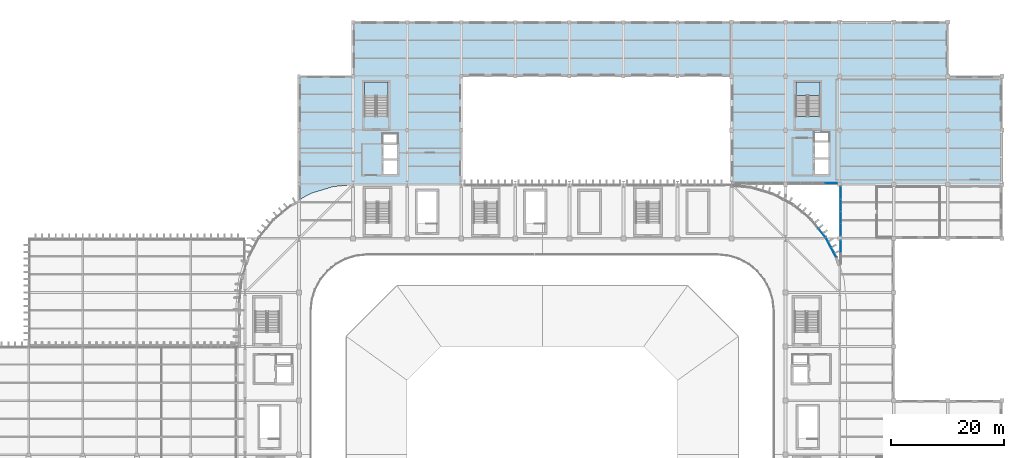
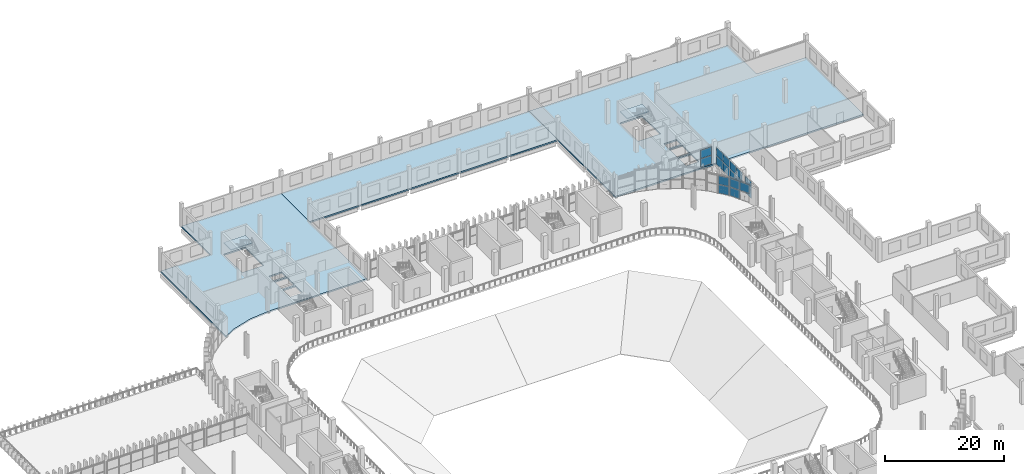
# One storey, part 56 of 99: 17 plates, 5 slabs, 7 elements without a shape of their own.
"""IFC4 building model written with IfcOpenShell, lengths in metres."""

from ifc_helpers import new_model, si_unit, direction, frame, origin, origin_2d, place, context, subcontext, project, spatial, polyline, rectangle, outline, extrude, material, layer, layer_set, type_object, element, aggregate, save


model = new_model("IFC4")

# Units and contexts
model_context = context("Model", 3, precision=1e-05, world=origin(), true_north=direction((0.0, 1.0)))
body_context = subcontext(model_context, "Body", "Model", "MODEL_VIEW")
ifc_project = project(units=[si_unit("LENGTHUNIT", "METRE"), si_unit("AREAUNIT", "SQUARE_METRE"), si_unit("VOLUMEUNIT", "CUBIC_METRE"), si_unit("PLANEANGLEUNIT", "RADIAN"), si_unit("MASSUNIT", "GRAM", prefix="KILO")], contexts=[model_context])

# Site, building, storey
site_placement = place(None, origin())
site = spatial("IfcSite", under=ifc_project, at=site_placement, CompositionType="ELEMENT")
building_placement = place(site_placement, origin())
building = spatial("IfcBuilding", under=site, at=building_placement, Name="Caelomonte Colonnade Arena", CompositionType="ELEMENT")
storey_placement = place(building_placement, frame((0.0, 0.0, 4.800048828125)))
storey = spatial("IfcBuildingStorey", under=building, at=storey_placement, Name="L01", CompositionType="ELEMENT", Elevation=4.800048828125)

# Curtain wall, plates
ifc_material_1 = material(Name="Bronze anodised aluminium and low-E glazing", Category="aluminium")
ifc_layer_1 = layer(ifc_material_1, 0.179931640625)
ifc_layer_set_1 = layer_set([ifc_layer_1], Name="Bronze anodised aluminium and low-E glazing")
curtain_wall_type_1 = type_object("IfcCurtainWallType", Name="ENV-CW-CW-L01-89-36", PredefinedType="USERDEFINED", material=ifc_layer_set_1)
curtain_wall_1_placement = place(storey_placement, origin())
curtain_wall_1 = element("IfcCurtainWall", 1, at=curtain_wall_1_placement, inside=storey, type_object=curtain_wall_type_1, Name="L01 unitized curtain wall CW-L01-1584-1154", ObjectType="UNITIZED CURTAIN WALL", PredefinedType="USERDEFINED")
ifc_material_2 = material(Name="Solar-control bronze low-E double glazing", Category="glass")
ifc_layer_2 = layer(ifc_material_2, 0.028076171875)
ifc_layer_set_2 = layer_set([ifc_layer_2], Name="Solar-control bronze low-E double glazing")
plate_type = type_object("IfcPlateType", Name="ENV-CW-PAN28", PredefinedType="CURTAIN_PANEL", material=ifc_layer_set_2)
plate_1_placement = place(storey_placement, frame((161.686279296875, 115.3798828125, 0.070068359375), z_axis=(0.0, 0.0, 1.0), x_axis=(1.0, 0.0, 0.0)))
plate_1 = element("IfcPlate", 2, at=plate_1_placement, type_object=plate_type, Name="CW-L01-89-36 panel 4.1", PredefinedType="CURTAIN_PANEL", context=body_context, shape_type="SweptSolid", body=[
    extrude(rectangle(XDim=2.097412109375, YDim=0.028076171875, at=origin_2d()), origin(), (0.0, 0.0, 1.0), 1.69140625),
])
plate_2_placement = place(storey_placement, frame((161.686279296875, 115.3798828125, 1.83154296875), z_axis=(0.0, 0.0, 1.0), x_axis=(1.0, 0.0, 0.0)))
plate_2 = element("IfcPlate", 3, at=plate_2_placement, type_object=plate_type, Name="CW-L01-89-36 panel 4.2", PredefinedType="CURTAIN_PANEL", context=body_context, shape_type="SweptSolid", body=[
    extrude(rectangle(XDim=2.097412109375, YDim=0.028076171875, at=origin_2d()), origin(), (0.0, 0.0, 1.0), 1.69140625),
])
aggregate(curtain_wall_1, [plate_1, plate_2])

curtain_wall_2_placement = place(storey_placement, origin())
curtain_wall_2 = element("IfcCurtainWall", 4, at=curtain_wall_2_placement, inside=storey, type_object=curtain_wall_type_1, Name="L01 unitized curtain wall CW-L01-1634-1104", ObjectType="UNITIZED CURTAIN WALL", PredefinedType="USERDEFINED")
plate_3_placement = place(storey_placement, frame((163.3798828125, 113.686279296875, 0.070068359375), z_axis=(0.0, 0.0, 1.0), x_axis=(0.0, -1.0, 0.0)))
plate_3 = element("IfcPlate", 5, at=plate_3_placement, type_object=plate_type, Name="CW-L01-89-36 panel 1.1", PredefinedType="CURTAIN_PANEL", context=body_context, shape_type="SweptSolid", body=[
    extrude(rectangle(XDim=2.097412109375, YDim=0.028076171875, at=origin_2d()), origin(), (0.0, 0.0, 1.0), 1.69140625),
])
plate_4_placement = place(storey_placement, frame((163.3798828125, 113.686279296875, 1.83154296875), z_axis=(0.0, 0.0, 1.0), x_axis=(0.0, -1.0, 0.0)))
plate_4 = element("IfcPlate", 6, at=plate_4_placement, type_object=plate_type, Name="CW-L01-89-36 panel 1.2", PredefinedType="CURTAIN_PANEL", context=body_context, shape_type="SweptSolid", body=[
    extrude(rectangle(XDim=2.097412109375, YDim=0.028076171875, at=origin_2d()), origin(), (0.0, 0.0, 1.0), 1.69140625),
])
plate_5_placement = place(storey_placement, frame((163.3798828125, 111.501220703125, 0.070068359375), z_axis=(0.0, 0.0, 1.0), x_axis=(0.0, -1.0, 0.0)))
plate_5 = element("IfcPlate", 7, at=plate_5_placement, type_object=plate_type, Name="CW-L01-89-36 panel 2.1", PredefinedType="CURTAIN_PANEL", context=body_context, shape_type="SweptSolid", body=[
    extrude(rectangle(XDim=2.132568359375, YDim=0.028076171875, at=origin_2d()), origin(), (0.0, 0.0, 1.0), 1.69140625),
])
plate_6_placement = place(storey_placement, frame((163.3798828125, 111.501220703125, 1.83154296875), z_axis=(0.0, 0.0, 1.0), x_axis=(0.0, -1.0, 0.0)))
plate_6 = element("IfcPlate", 8, at=plate_6_placement, type_object=plate_type, Name="CW-L01-89-36 panel 2.2", PredefinedType="CURTAIN_PANEL", context=body_context, shape_type="SweptSolid", body=[
    extrude(rectangle(XDim=2.132568359375, YDim=0.028076171875, at=origin_2d()), origin(), (0.0, 0.0, 1.0), 1.69140625),
])
plate_7_placement = place(storey_placement, frame((163.3798828125, 109.298828125, 0.070068359375), z_axis=(0.0, 0.0, 1.0), x_axis=(0.0, -1.0, 0.0)))
plate_7 = element("IfcPlate", 9, at=plate_7_placement, type_object=plate_type, Name="CW-L01-89-36 panel 3.1", PredefinedType="CURTAIN_PANEL", context=body_context, shape_type="SweptSolid", body=[
    extrude(rectangle(XDim=2.132568359375, YDim=0.028076171875, at=origin_2d()), origin(), (0.0, 0.0, 1.0), 1.69140625),
])
plate_8_placement = place(storey_placement, frame((163.3798828125, 109.298828125, 1.83154296875), z_axis=(0.0, 0.0, 1.0), x_axis=(0.0, -1.0, 0.0)))
plate_8 = element("IfcPlate", 10, at=plate_8_placement, type_object=plate_type, Name="CW-L01-89-36 panel 3.2", PredefinedType="CURTAIN_PANEL", context=body_context, shape_type="SweptSolid", body=[
    extrude(rectangle(XDim=2.132568359375, YDim=0.028076171875, at=origin_2d()), origin(), (0.0, 0.0, 1.0), 1.69140625),
])
plate_9_placement = place(storey_placement, frame((163.3798828125, 107.11376953125, 0.070068359375), z_axis=(0.0, 0.0, 1.0), x_axis=(0.0, -1.0, 0.0)))
plate_9 = element("IfcPlate", 11, at=plate_9_placement, type_object=plate_type, Name="CW-L01-89-36 panel 4.1", PredefinedType="CURTAIN_PANEL", context=body_context, shape_type="SweptSolid", body=[
    extrude(rectangle(XDim=2.097412109375, YDim=0.028076171875, at=origin_2d()), origin(), (0.0, 0.0, 1.0), 1.69140625),
])
plate_10_placement = place(storey_placement, frame((163.3798828125, 107.11376953125, 1.83154296875), z_axis=(0.0, 0.0, 1.0), x_axis=(0.0, -1.0, 0.0)))
plate_10 = element("IfcPlate", 12, at=plate_10_placement, type_object=plate_type, Name="CW-L01-89-36 panel 4.2", PredefinedType="CURTAIN_PANEL", context=body_context, shape_type="SweptSolid", body=[
    extrude(rectangle(XDim=2.097412109375, YDim=0.028076171875, at=origin_2d()), origin(), (0.0, 0.0, 1.0), 1.69140625),
])
aggregate(curtain_wall_2, [plate_3, plate_4, plate_5, plate_6, plate_7, plate_8, plate_9, plate_10])

ifc_layer_3 = layer(ifc_material_1, 0.179931640625)
ifc_layer_set_3 = layer_set([ifc_layer_3], Name="Bronze anodised aluminium and low-E glazing")
curtain_wall_type_2 = type_object("IfcCurtainWallType", Name="ENV-CW-CW-L01-44-36", PredefinedType="USERDEFINED", material=ifc_layer_set_3)
curtain_wall_3_placement = place(storey_placement, origin())
curtain_wall_3 = element("IfcCurtainWall", 13, at=curtain_wall_3_placement, inside=storey, type_object=curtain_wall_type_2, Name="L01 unitized curtain wall CW-L01-1634-1030", ObjectType="UNITIZED CURTAIN WALL", PredefinedType="USERDEFINED")
plate_11_placement = place(storey_placement, frame((163.3798828125, 104.12744140625, 0.070068359375), z_axis=(0.0, 0.0, 1.0), x_axis=(0.0, -1.0, 0.0)))
plate_11 = element("IfcPlate", 14, at=plate_11_placement, type_object=plate_type, Name="CW-L01-44-36 panel 1.1", PredefinedType="CURTAIN_PANEL", context=body_context, shape_type="SweptSolid", body=[
    extrude(rectangle(XDim=2.01513671875, YDim=0.028076171875, at=origin_2d()), origin(), (0.0, 0.0, 1.0), 1.69140625),
])
plate_12_placement = place(storey_placement, frame((163.3798828125, 104.12744140625, 1.83154296875), z_axis=(0.0, 0.0, 1.0), x_axis=(0.0, -1.0, 0.0)))
plate_12 = element("IfcPlate", 15, at=plate_12_placement, type_object=plate_type, Name="CW-L01-44-36 panel 1.2", PredefinedType="CURTAIN_PANEL", context=body_context, shape_type="SweptSolid", body=[
    extrude(rectangle(XDim=2.01513671875, YDim=0.028076171875, at=origin_2d()), origin(), (0.0, 0.0, 1.0), 1.69140625),
])
aggregate(curtain_wall_3, [plate_11, plate_12])

ifc_layer_4 = layer(ifc_material_1, 0.179931640625)
ifc_layer_set_4 = layer_set([ifc_layer_4], Name="Bronze anodised aluminium and low-E glazing")
curtain_wall_type_3 = type_object("IfcCurtainWallType", Name="ENV-CW-CW-L01-44-38", PredefinedType="USERDEFINED", material=ifc_layer_set_4)
curtain_wall_4_placement = place(storey_placement, origin())
curtain_wall_4 = element("IfcCurtainWall", 16, at=curtain_wall_4_placement, inside=storey, type_object=curtain_wall_type_3, Name="L01 unitized curtain wall CW-L01-1617-1040", ObjectType="UNITIZED CURTAIN WALL", PredefinedType="USERDEFINED")
plate_13_placement = place(storey_placement, frame((162.139892578125, 103.09228515625, 1.9140625), z_axis=(0.0, 0.0, 1.0), x_axis=(-0.471394212466, 0.881922613642, 0.0)))
plate_13 = element("IfcPlate", 17, at=plate_13_placement, type_object=plate_type, Name="CW-L01-44-38 panel 1.2", PredefinedType="CURTAIN_PANEL", context=body_context, shape_type="SweptSolid", body=[
    extrude(rectangle(XDim=1.913330078125, YDim=0.028076171875, at=origin_2d()), origin(), (0.0, 0.0, 1.0), 1.77392578125),
])
plate_14_placement = place(storey_placement, frame((161.205078125, 104.841552734375, 0.070068359375), z_axis=(0.0, 0.0, 1.0), x_axis=(-0.471394212466, 0.881922613642, 0.0)))
plate_14 = element("IfcPlate", 18, at=plate_14_placement, type_object=plate_type, Name="CW-L01-44-38 panel 2.1", PredefinedType="CURTAIN_PANEL", context=body_context, shape_type="SweptSolid", body=[
    extrude(rectangle(XDim=1.913330078125, YDim=0.028076171875, at=origin_2d()), origin(), (0.0, 0.0, 1.0), 1.77392578125),
])
plate_15_placement = place(storey_placement, frame((161.205078125, 104.841552734375, 1.9140625), z_axis=(0.0, 0.0, 1.0), x_axis=(-0.471394212466, 0.881922613642, 0.0)))
plate_15 = element("IfcPlate", 19, at=plate_15_placement, type_object=plate_type, Name="CW-L01-44-38 panel 2.2", PredefinedType="CURTAIN_PANEL", context=body_context, shape_type="SweptSolid", body=[
    extrude(rectangle(XDim=1.913330078125, YDim=0.028076171875, at=origin_2d()), origin(), (0.0, 0.0, 1.0), 1.77392578125),
])
aggregate(curtain_wall_4, [plate_13, plate_14, plate_15])

curtain_wall_5_placement = place(storey_placement, origin())
curtain_wall_5 = element("IfcCurtainWall", 20, at=curtain_wall_5_placement, inside=storey, type_object=curtain_wall_type_3, Name="L01 unitized curtain wall CW-L01-1594-1073", ObjectType="UNITIZED CURTAIN WALL", PredefinedType="USERDEFINED")
plate_16_placement = place(storey_placement, frame((160.045166015625, 106.577392578125, 0.070068359375), z_axis=(0.0, 0.0, 1.0), x_axis=(-0.634416071163, 0.772991751994, 0.0)))
plate_16 = element("IfcPlate", 21, at=plate_16_placement, type_object=plate_type, Name="CW-L01-44-38 panel 1.1", PredefinedType="CURTAIN_PANEL", context=body_context, shape_type="SweptSolid", body=[
    extrude(rectangle(XDim=1.913330078125, YDim=0.028076171875, at=origin_2d()), origin(), (0.0, 0.0, 1.0), 1.77392578125),
])
plate_17_placement = place(storey_placement, frame((160.045166015625, 106.577392578125, 1.9140625), z_axis=(0.0, 0.0, 1.0), x_axis=(-0.634416071163, 0.772991751994, 0.0)))
plate_17 = element("IfcPlate", 22, at=plate_17_placement, type_object=plate_type, Name="CW-L01-44-38 panel 1.2", PredefinedType="CURTAIN_PANEL", context=body_context, shape_type="SweptSolid", body=[
    extrude(rectangle(XDim=1.913330078125, YDim=0.028076171875, at=origin_2d()), origin(), (0.0, 0.0, 1.0), 1.77392578125),
])
aggregate(curtain_wall_5, [plate_16, plate_17])

# Stair, slab
ifc_material_3 = material(Name="Concrete C40/50", Category="concrete")
stair_type = type_object("IfcStairType", Name="INT-ST-WING48", PredefinedType="HALF_TURN_STAIR", material=ifc_material_3)
stair_1_placement = place(storey_placement, origin())
stair_1 = element("IfcStair", 23, at=stair_1_placement, inside=storey, type_object=stair_type, Name="L01 Core C6 exit stair ST-06", PredefinedType="HALF_TURN_STAIR")
ifc_layer_5 = layer(ifc_material_3, 0.199951171875)
ifc_layer_set_5 = layer_set([ifc_layer_5], Name="Concrete C40/50")
slab_type_1 = type_object("IfcSlabType", Name="INT-SL-LAND20", PredefinedType="LANDING", material=ifc_layer_set_5)
slab_1_placement = place(storey_placement, frame((0.0, 0.0, 2.199951171875)))
slab_1 = element("IfcSlab", 24, at=slab_1_placement, type_object=slab_type_1, Name="ST-06 landing 1", PredefinedType="LANDING", context=body_context, shape_type="SweptSolid", body=[
    extrude(outline(polyline([(159.699951171875, 130.955078125), (159.699951171875, 133.35009765625), (155.39990234375, 133.35009765625), (155.39990234375, 130.955078125), (159.699951171875, 130.955078125)])), origin(), (0.0, 0.0, 1.0), 0.199951171875),
])
aggregate(stair_1, [slab_1])

stair_2_placement = place(storey_placement, origin())
stair_2 = element("IfcStair", 25, at=stair_2_placement, inside=storey, type_object=stair_type, Name="L01 Core C7 exit stair ST-07", PredefinedType="HALF_TURN_STAIR")
slab_2_placement = place(storey_placement, frame((0.0, 0.0, 2.199951171875)))
slab_2 = element("IfcSlab", 26, at=slab_2_placement, type_object=slab_type_1, Name="ST-07 landing 1", PredefinedType="LANDING", context=body_context, shape_type="SweptSolid", body=[
    extrude(outline(polyline([(83.0, 130.905029296875), (83.0, 133.35009765625), (78.800048828125, 133.35009765625), (78.800048828125, 130.905029296875), (83.0, 130.905029296875)])), origin(), (0.0, 0.0, 1.0), 0.199951171875),
])
aggregate(stair_2, [slab_2])

# Slabs
ifc_layer_6 = layer(ifc_material_3, 0.300048828125)
ifc_layer_set_6 = layer_set([ifc_layer_6], Name="Concrete C40/50")
slab_type_2 = type_object("IfcSlabType", Name="STR-SL-FLR30", PredefinedType="FLOOR", material=ifc_layer_set_6)
slab_3_placement = place(storey_placement, frame((0.0, 0.0, -0.300048828125)))
element("IfcSlab", 27, at=slab_3_placement, inside=storey, type_object=slab_type_2, Name="L01 structural floor slab SL-L01-V4-NW", PredefinedType="FLOOR", context=body_context, shape_type="SweptSolid", body=[
    extrude(outline(polyline([(96.0, 115.199951171875), (96.0, 144.0), (76.800048828125, 144.0), (76.800048828125, 134.39990234375), (67.199951171875, 134.39990234375), (67.199951171875, 112.445068359375), (69.363525390625, 113.6015625), (73.302978515625, 114.79638671875), (77.39990234375, 115.199951171875), (96.0, 115.199951171875)]), holes=[polyline([(78.800048828125, 133.35009765625), (83.0, 133.35009765625), (83.0, 127.199951171875), (78.800048828125, 127.199951171875), (78.800048828125, 133.35009765625)]), polyline([(82.179931640625, 116.97998046875), (82.179931640625, 119.419921875), (84.6201171875, 119.419921875), (84.6201171875, 116.97998046875), (82.179931640625, 116.97998046875)]), polyline([(82.179931640625, 122.219970703125), (84.6201171875, 122.219970703125), (84.6201171875, 119.780029296875), (82.179931640625, 119.780029296875), (82.179931640625, 122.219970703125)]), polyline([(82.179931640625, 124.02001953125), (84.6201171875, 124.02001953125), (84.6201171875, 122.580078125), (82.179931640625, 122.580078125), (82.179931640625, 124.02001953125)])]), origin(), (0.0, 0.0, 1.0), 0.300048828125),
])
slab_4_placement = place(storey_placement, frame((0.0, 0.0, -0.300048828125)))
element("IfcSlab", 28, at=slab_4_placement, inside=storey, type_object=slab_type_2, Name="L01 structural floor slab SL-L01-V4-N", PredefinedType="FLOOR", context=body_context, shape_type="SweptSolid", body=[
    extrude(outline(polyline([(96.0, 134.39990234375), (144.0, 134.39990234375), (144.0, 144.0), (96.0, 144.0), (96.0, 134.39990234375)])), origin(), (0.0, 0.0, 1.0), 0.300048828125),
])
slab_5_placement = place(storey_placement, frame((0.0, 0.0, -0.300048828125)))
element("IfcSlab", 29, at=slab_5_placement, inside=storey, type_object=slab_type_2, Name="L01 structural floor slab SL-L01-V4-NE", PredefinedType="FLOOR", context=body_context, shape_type="SweptSolid", body=[
    extrude(outline(polyline([(144.0, 115.199951171875), (192.0, 115.199951171875), (192.0, 134.39990234375), (182.39990234375, 134.39990234375), (182.39990234375, 144.0), (144.0, 144.0), (144.0, 115.199951171875)]), holes=[polyline([(158.780029296875, 119.6201171875), (161.219970703125, 119.6201171875), (161.219970703125, 116.97998046875), (158.780029296875, 116.97998046875), (158.780029296875, 119.6201171875)]), polyline([(158.780029296875, 119.97998046875), (158.780029296875, 122.6201171875), (161.219970703125, 122.6201171875), (161.219970703125, 119.97998046875), (158.780029296875, 119.97998046875)]), polyline([(158.780029296875, 124.419921875), (161.219970703125, 124.419921875), (161.219970703125, 122.97998046875), (158.780029296875, 122.97998046875), (158.780029296875, 124.419921875)]), polyline([(155.39990234375, 133.35009765625), (159.699951171875, 133.35009765625), (159.699951171875, 127.25), (155.39990234375, 127.25), (155.39990234375, 133.35009765625)])]), origin(), (0.0, 0.0, 1.0), 0.300048828125),
])

save(model, "model.ifc")
